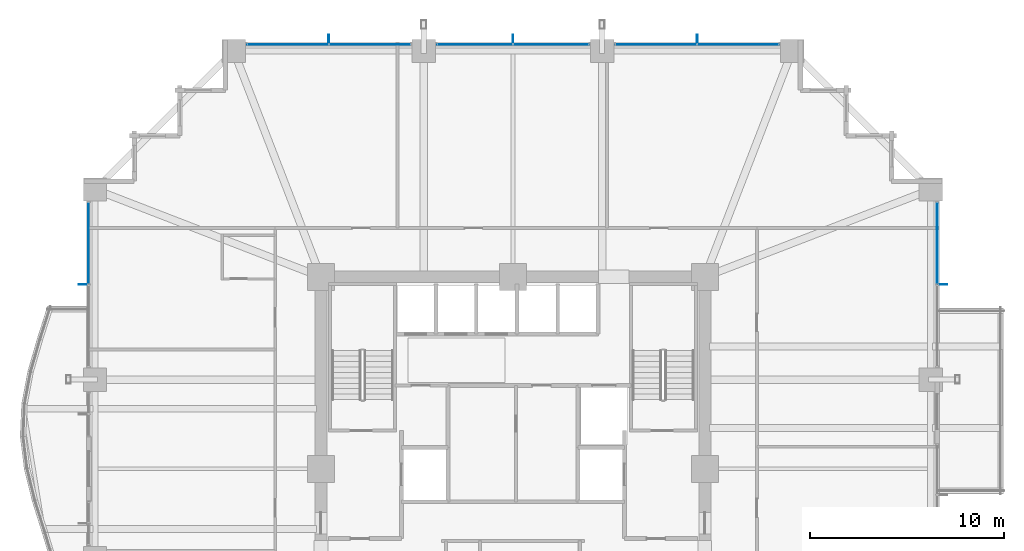
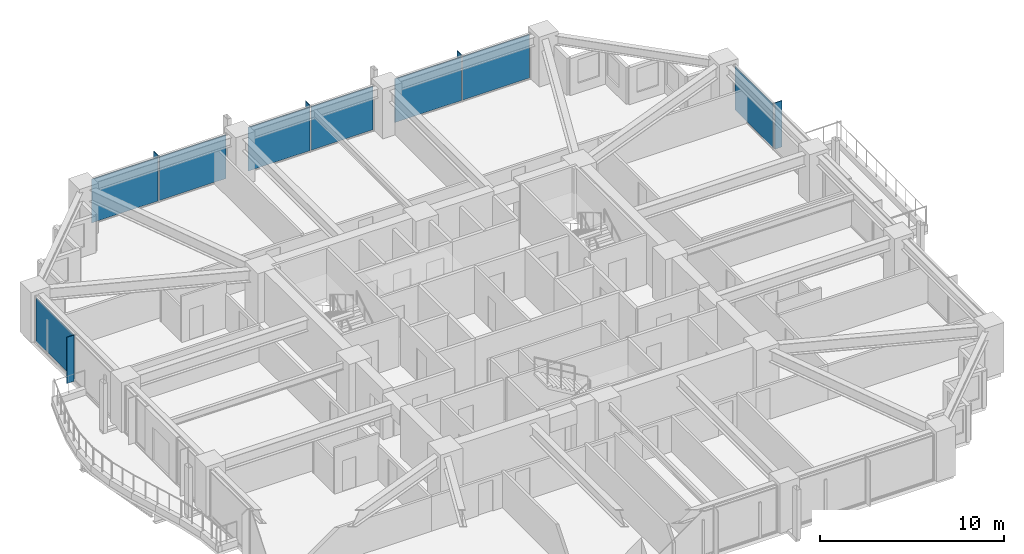
# One storey, part 31 of 38: 13 plates, 5 elements without a shape of their own.
"""IFC4 building model written with IfcOpenShell, lengths in metres."""

import ifcopenshell
import ifcopenshell.guid

model = None  # the IFC model being written
_history = None  # IfcOwnerHistory: only IFC2X3 demands one
_inside = {}  # id of a spatial element -> (the spatial element, [elements in it])
_under = {}  # id of a project, library or spatial element -> (it, [spatial elements below it])
_declared = {}  # id of a project -> (the project, [libraries it declares])
_typed = {}  # id of a type object -> (the type object, [elements of that type])
_made_of = {}  # id of a material, layer set ... -> (it, [elements and type objects made of it])


def new_model(schema):
    """Start an empty IFC model of exactly this schema.

    Asked for "IFC4X3", IfcOpenShell would pick the latest addendum, in which some entities
    have other attributes; the version numbers below select the first issue.
    IFC2X3 requires an IfcOwnerHistory on every rooted entity: one is made here for all.
    """
    global model, _history
    if schema == "IFC4X3":
        model = ifcopenshell.file(schema_version=(4, 3, 0, 0))
    else:
        model = ifcopenshell.file(schema=schema)
    _inside.clear()
    _under.clear()
    _declared.clear()
    _typed.clear()
    _made_of.clear()
    _history = None
    if model.schema == "IFC2X3":
        org = make("IfcOrganization", Name="unknown")
        user = make(
            "IfcPersonAndOrganization",
            ThePerson=make("IfcPerson", FamilyName="unknown"),
            TheOrganization=org,
        )
        app = make(
            "IfcApplication",
            ApplicationDeveloper=org,
            Version="unknown",
            ApplicationFullName="unknown",
            ApplicationIdentifier="unknown",
        )
        _history = make(
            "IfcOwnerHistory",
            OwningUser=user,
            OwningApplication=app,
            ChangeAction="ADDED",
            CreationDate=0,
        )
    return model


def make(cls, **values):
    """One entity of the class cls with the attributes given. An attribute that is None is left unset."""
    return model.create_entity(
        cls, **{name: value for name, value in values.items() if value is not None}
    )


def rooted(cls, **values):
    """An entity with a GlobalId (a new one), such as an element, a storey or a relation."""
    return make(cls, GlobalId=ifcopenshell.guid.new(), OwnerHistory=_history, **values)


def si_unit(unit_type, name, prefix=None):
    """IfcSIUnit, for example si_unit("LENGTHUNIT", "METRE", prefix="MILLI")."""
    return make("IfcSIUnit", UnitType=unit_type, Prefix=prefix, Name=name)


def assignment(units):
    """IfcUnitAssignment: the units of a project."""
    return None if units is None else make("IfcUnitAssignment", Units=units)


def point(xyz):
    """IfcCartesianPoint."""
    return None if xyz is None else make("IfcCartesianPoint", Coordinates=xyz)


def direction(xyz):
    """IfcDirection."""
    return None if xyz is None else make("IfcDirection", DirectionRatios=xyz)


def frame(location, z_axis=None, x_axis=None):
    """IfcAxis2Placement3D, a coordinate frame: its origin and axes. An axis left out is left unset."""
    return make(
        "IfcAxis2Placement3D",
        Location=point(location),
        Axis=direction(z_axis),
        RefDirection=direction(x_axis),
    )


def frame_2d(location, x_axis=None):
    """IfcAxis2Placement2D, a coordinate frame in the plane: its origin and x axis."""
    return make(
        "IfcAxis2Placement2D", Location=point(location), RefDirection=direction(x_axis)
    )


def origin():
    """The frame at (0, 0, 0) with its axes left unset."""
    return frame((0.0, 0.0, 0.0))


def origin_2d():
    """The frame at (0, 0) in the plane with its x axis left unset."""
    return frame_2d((0.0, 0.0))


def place(relative_to, where):
    """IfcLocalPlacement: puts the frame where relative to a parent placement (None: the world)."""
    return make(
        "IfcLocalPlacement", PlacementRelTo=relative_to, RelativePlacement=where
    )


def context(
    kind, dimensions, precision=None, world=None, true_north=None, identifier=None
):
    """IfcGeometricRepresentationContext, for example the 3D "Model" context."""
    return make(
        "IfcGeometricRepresentationContext",
        ContextIdentifier=identifier,
        ContextType=kind,
        CoordinateSpaceDimension=dimensions,
        Precision=precision,
        WorldCoordinateSystem=world,
        TrueNorth=true_north,
    )


def subcontext(parent, identifier, kind, view, scale=None):
    """IfcGeometricRepresentationSubContext, for example "Body" below "Model"."""
    return make(
        "IfcGeometricRepresentationSubContext",
        ContextIdentifier=identifier,
        ContextType=kind,
        ParentContext=parent,
        TargetScale=scale,
        TargetView=view,
    )


def project(units=None, contexts=None):
    """IfcProject with its units and contexts."""
    return rooted(
        "IfcProject",
        Name="project",
        RepresentationContexts=contexts,
        UnitsInContext=assignment(units),
    )


def spatial(cls, under=None, at=None, **own):
    """A site, building, storey or space (cls), placed at a placement, below another one or the project."""
    s = rooted(cls, ObjectPlacement=at, **own)
    if under is not None:
        _under.setdefault(under.id(), (under, []))[1].append(s)
    return s


def profile(cls, at=None, kind="AREA", **sizes):
    """A parametric profile (cls). Its sizes go by their IFC names, for example OverallWidth=200.0."""
    return make(cls, ProfileType=kind, Position=at, **sizes)


def rectangle(**sizes):
    """IfcRectangleProfileDef."""
    return profile("IfcRectangleProfileDef", **sizes)


def extrude(swept, where, along, depth):
    """IfcExtrudedAreaSolid: the profile swept, set in the frame where, extruded along a direction by depth."""
    return make(
        "IfcExtrudedAreaSolid",
        SweptArea=swept,
        Position=where,
        ExtrudedDirection=direction(along),
        Depth=depth,
    )


def shape(context_of_items, identifier, shape_type, items):
    """IfcShapeRepresentation: the items that make up one representation, for example the "Body"."""
    return make(
        "IfcShapeRepresentation",
        ContextOfItems=context_of_items,
        RepresentationIdentifier=identifier,
        RepresentationType=shape_type,
        Items=items,
    )


def material(Name=None, Category=None):
    """IfcMaterial."""
    return make("IfcMaterial", Name=Name, Category=Category)


def layer(
    of_material, thickness, ventilated=None, Name=None, Category=None, Priority=None
):
    """IfcMaterialLayer: one layer of a wall or slab, of a material (None: an air gap)."""
    return make(
        "IfcMaterialLayer",
        Material=of_material,
        LayerThickness=thickness,
        IsVentilated=ventilated,
        Name=Name,
        Category=Category,
        Priority=Priority,
    )


def layer_set(layers, Name=None):
    """IfcMaterialLayerSet."""
    return make("IfcMaterialLayerSet", MaterialLayers=layers, LayerSetName=Name)


def made_of(thing, what):
    """Note that an element or type object is made of a material, layer set ...; save() writes the relation."""
    if what is not None:
        _made_of.setdefault(what.id(), (what, []))[1].append(thing)
    return thing


def type_object(cls, material=None, **own):
    """A type object (cls), such as IfcWallType, which elements share."""
    return made_of(rooted(cls, **own), material)


def element(
    cls,
    number,
    at=None,
    inside=None,
    cuts=None,
    type_object=None,
    material=None,
    context=None,
    identifier="Body",
    shape_type=None,
    held_by="IfcProductDefinitionShape",
    body=None,
    shapes=None,
    **own,
):
    """One element of the class cls, such as IfcWall. Its Tag is "e" and its number.

    at: its placement. inside: the storey or other place that contains it. cuts: it is an
    opening in that element (IfcRelVoidsElement). A single representation is given by context,
    identifier, shape_type and body (its items); several are given by shapes. held_by: the class
    of the entity that holds the representations. save() writes the other relations.
    """
    e = rooted(cls, Tag="e%d" % number, ObjectPlacement=at, **own)
    if body is not None:
        shapes = [shape(context, identifier, shape_type, body)]
    if shapes is not None:
        e.Representation = make(held_by, Representations=shapes)
    if inside is not None:
        _inside.setdefault(inside.id(), (inside, []))[1].append(e)
    if cuts is not None:
        rooted(
            "IfcRelVoidsElement", RelatingBuildingElement=cuts, RelatedOpeningElement=e
        )
    if type_object is not None:
        _typed.setdefault(type_object.id(), (type_object, []))[1].append(e)
    return made_of(e, material)


def aggregate(whole, parts):
    """IfcRelAggregates: a whole, such as a stair, and the parts it consists of."""
    return rooted("IfcRelAggregates", RelatingObject=whole, RelatedObjects=parts)


def save(model, path):
    """Write the relations noted so far, then the file.

    IfcRelAggregates (storeys below a building ...), IfcRelContainedInSpatialStructure (elements
    in a storey), IfcRelDefinesByType, IfcRelAssociatesMaterial and IfcRelDeclares: one each for
    every whole, place, type object, material and project.
    """
    for whole, parts in _under.values():
        aggregate(whole, parts)
    for where, things in _inside.values():
        rooted(
            "IfcRelContainedInSpatialStructure",
            RelatedElements=things,
            RelatingStructure=where,
        )
    for kind, things in _typed.values():
        rooted("IfcRelDefinesByType", RelatedObjects=things, RelatingType=kind)
    for what, things in _made_of.values():
        rooted("IfcRelAssociatesMaterial", RelatedObjects=things, RelatingMaterial=what)
    for by, libraries in _declared.values():
        rooted("IfcRelDeclares", RelatingContext=by, RelatedDefinitions=libraries)
    model.write(path)


model = new_model("IFC4")

# Units and contexts
model_context = context("Model", 3, precision=1e-05, world=origin(), true_north=direction((0.0, 1.0)))
body_context = subcontext(model_context, "Body", "Model", "MODEL_VIEW")
ifc_project = project(units=[si_unit("LENGTHUNIT", "METRE"), si_unit("AREAUNIT", "SQUARE_METRE"), si_unit("VOLUMEUNIT", "CUBIC_METRE"), si_unit("PLANEANGLEUNIT", "RADIAN"), si_unit("MASSUNIT", "GRAM", prefix="KILO")], contexts=[model_context])

# Site, building, storey
site_placement = place(None, origin())
site = spatial("IfcSite", under=ifc_project, at=site_placement, CompositionType="ELEMENT")
building_placement = place(site_placement, origin())
building = spatial("IfcBuilding", under=site, at=building_placement, Name="Kolvaren Belvedere", CompositionType="ELEMENT")
storey_placement = place(building_placement, frame((0.0, 0.0, 53.5)))
storey = spatial("IfcBuildingStorey", under=building, at=storey_placement, Name="L15", CompositionType="ELEMENT", Elevation=53.5)

# Curtain wall, plate
ifc_material_1 = material(Name="Anodised pale-metal aluminium AA 6063-T6", Category="aluminium")
curtain_wall_type = type_object("IfcCurtainWallType", Name="CW-Z1-LOW", PredefinedType="NOTDEFINED", material=ifc_material_1)
curtain_wall_1_placement = place(storey_placement, origin())
curtain_wall_1 = element("IfcCurtainWall", 1, at=curtain_wall_1_placement, inside=storey, type_object=curtain_wall_type, Name="L15 Unitised Curtain Wall FCW-L15-E1", PredefinedType="NOTDEFINED")
ifc_material_2 = material(Name="Low-iron triple insulated glass", Category="glass")
ifc_layer_1 = layer(ifc_material_2, 0.028076171875)
ifc_layer_set_1 = layer_set([ifc_layer_1], Name="Low-iron triple insulated glass")
plate_type_1 = type_object("IfcPlateType", Name="CW-PNL-VIS28", PredefinedType="CURTAIN_PANEL", material=ifc_layer_set_1)
plate_1_placement = place(storey_placement, frame((21.8798828125, 11.62255859375, 0.080078125), z_axis=(0.0, 0.0, 1.0), x_axis=(0.0, -1.0, 0.0)))
plate_1 = element("IfcPlate", 2, at=plate_1_placement, type_object=plate_type_1, Name="FCW-L15-E1 Vision Glazing Panel 1", PredefinedType="CURTAIN_PANEL", context=body_context, shape_type="SweptSolid", body=[
    extrude(rectangle(XDim=4.1650390625, YDim=0.028076171875, at=origin_2d()), origin(), (0.0, 0.0, 1.0), 2.89990234375),
])
aggregate(curtain_wall_1, [plate_1])

# Curtain wall, plates
curtain_wall_2_placement = place(storey_placement, origin())
curtain_wall_2 = element("IfcCurtainWall", 3, at=curtain_wall_2_placement, inside=storey, type_object=curtain_wall_type, Name="L15 Unitised Curtain Wall FCW-L15-N-B1", PredefinedType="NOTDEFINED")
plate_2_placement = place(storey_placement, frame((-11.62255859375, 21.8798828125, 0.080078125), z_axis=(0.0, 0.0, 1.0), x_axis=(1.0, 0.0, 0.0)))
plate_2 = element("IfcPlate", 4, at=plate_2_placement, type_object=plate_type_1, Name="FCW-L15-N-B1 Vision Glazing Panel 1", PredefinedType="CURTAIN_PANEL", context=body_context, shape_type="SweptSolid", body=[
    extrude(rectangle(XDim=4.1650390625, YDim=0.028076171875, at=origin_2d()), origin(), (0.0, 0.0, 1.0), 2.89990234375),
])
plate_3_placement = place(storey_placement, frame((-7.37744140625, 21.8798828125, 0.080078125), z_axis=(0.0, 0.0, 1.0), x_axis=(1.0, 0.0, 0.0)))
plate_3 = element("IfcPlate", 5, at=plate_3_placement, type_object=plate_type_1, Name="FCW-L15-N-B1 Vision Glazing Panel 2", PredefinedType="CURTAIN_PANEL", context=body_context, shape_type="SweptSolid", body=[
    extrude(rectangle(XDim=4.1650390625, YDim=0.028076171875, at=origin_2d()), origin(), (0.0, 0.0, 1.0), 2.89990234375),
])
aggregate(curtain_wall_2, [plate_2, plate_3])

curtain_wall_3_placement = place(storey_placement, origin())
curtain_wall_3 = element("IfcCurtainWall", 6, at=curtain_wall_3_placement, inside=storey, type_object=curtain_wall_type, Name="L15 Unitised Curtain Wall FCW-L15-N-B2", PredefinedType="NOTDEFINED")
plate_4_placement = place(storey_placement, frame((-1.972412109375, 21.8798828125, 0.080078125), z_axis=(0.0, 0.0, 1.0), x_axis=(1.0, 0.0, 0.0)))
plate_4 = element("IfcPlate", 7, at=plate_4_placement, type_object=plate_type_1, Name="FCW-L15-N-B2 Vision Glazing Panel 1", PredefinedType="CURTAIN_PANEL", context=body_context, shape_type="SweptSolid", body=[
    extrude(rectangle(XDim=3.864990234375, YDim=0.028076171875, at=origin_2d()), origin(), (0.0, 0.0, 1.0), 2.89990234375),
])
plate_5_placement = place(storey_placement, frame((1.972412109375, 21.8798828125, 0.080078125), z_axis=(0.0, 0.0, 1.0), x_axis=(1.0, 0.0, 0.0)))
plate_5 = element("IfcPlate", 8, at=plate_5_placement, type_object=plate_type_1, Name="FCW-L15-N-B2 Vision Glazing Panel 2", PredefinedType="CURTAIN_PANEL", context=body_context, shape_type="SweptSolid", body=[
    extrude(rectangle(XDim=3.864990234375, YDim=0.028076171875, at=origin_2d()), origin(), (0.0, 0.0, 1.0), 2.89990234375),
])
aggregate(curtain_wall_3, [plate_4, plate_5])

curtain_wall_4_placement = place(storey_placement, origin())
curtain_wall_4 = element("IfcCurtainWall", 9, at=curtain_wall_4_placement, inside=storey, type_object=curtain_wall_type, Name="L15 Unitised Curtain Wall FCW-L15-N-B3", PredefinedType="NOTDEFINED")
plate_6_placement = place(storey_placement, frame((7.37744140625, 21.8798828125, 0.080078125), z_axis=(0.0, 0.0, 1.0), x_axis=(1.0, 0.0, 0.0)))
plate_6 = element("IfcPlate", 10, at=plate_6_placement, type_object=plate_type_1, Name="FCW-L15-N-B3 Vision Glazing Panel 1", PredefinedType="CURTAIN_PANEL", context=body_context, shape_type="SweptSolid", body=[
    extrude(rectangle(XDim=4.1650390625, YDim=0.028076171875, at=origin_2d()), origin(), (0.0, 0.0, 1.0), 2.89990234375),
])
plate_7_placement = place(storey_placement, frame((11.62255859375, 21.8798828125, 0.080078125), z_axis=(0.0, 0.0, 1.0), x_axis=(1.0, 0.0, 0.0)))
plate_7 = element("IfcPlate", 11, at=plate_7_placement, type_object=plate_type_1, Name="FCW-L15-N-B3 Vision Glazing Panel 2", PredefinedType="CURTAIN_PANEL", context=body_context, shape_type="SweptSolid", body=[
    extrude(rectangle(XDim=4.1650390625, YDim=0.028076171875, at=origin_2d()), origin(), (0.0, 0.0, 1.0), 2.89990234375),
])
aggregate(curtain_wall_4, [plate_6, plate_7])

# Curtain wall, plate
curtain_wall_5_placement = place(storey_placement, origin())
curtain_wall_5 = element("IfcCurtainWall", 12, at=curtain_wall_5_placement, inside=storey, type_object=curtain_wall_type, Name="L15 Unitised Curtain Wall FCW-L15-W2-B2", PredefinedType="NOTDEFINED")
plate_8_placement = place(storey_placement, frame((-21.8798828125, 11.62255859375, 0.080078125), z_axis=(0.0, 0.0, 1.0), x_axis=(0.0, 1.0, 0.0)))
plate_8 = element("IfcPlate", 13, at=plate_8_placement, type_object=plate_type_1, Name="FCW-L15-W2-B2 Vision Glazing Panel 2", PredefinedType="CURTAIN_PANEL", context=body_context, shape_type="SweptSolid", body=[
    extrude(rectangle(XDim=4.1650390625, YDim=0.028076171875, at=origin_2d()), origin(), (0.0, 0.0, 1.0), 2.89990234375),
])
aggregate(curtain_wall_5, [plate_8])

# Plates
ifc_material_3 = material(Name="Anodised pale-metal aluminium AA 6063-T6", Category="aluminium")
ifc_layer_2 = layer(ifc_material_3, 0.0380859375)
ifc_layer_set_2 = layer_set([ifc_layer_2], Name="Anodised pale-metal aluminium AA 6063-T6")
plate_type_2 = type_object("IfcPlateType", Name="FIN-VERT-450", PredefinedType="USERDEFINED", material=ifc_layer_set_2)
for number, where, z_axis, x_axis, name in (
    (14, (22.1650390625, 9.5, 0.0), (0.0, 0.0, 1.0), (1.0, 0.0, 0.0), "L15 Pale-Metal Vertical Shading Fin FCW-L15-E1-1"),
    (15, (-9.5, 22.1650390625, 0.0), (0.0, 0.0, 1.0), (0.0, 1.0, 0.0), "L15 Pale-Metal Vertical Shading Fin FCW-L15-N-B1-1"),
    (16, (0.0, 22.1650390625, 0.0), (0.0, 0.0, 1.0), (0.0, 1.0, 0.0), "L15 Pale-Metal Vertical Shading Fin FCW-L15-N-B2-1"),
    (17, (9.5, 22.1650390625, 0.0), (0.0, 0.0, 1.0), (0.0, 1.0, 0.0), "L15 Pale-Metal Vertical Shading Fin FCW-L15-N-B3-1"),
    (18, (-22.1650390625, 9.5, 0.0), (0.0, 0.0, 1.0), (1.0, 0.0, 0.0), "L15 Pale-Metal Vertical Shading Fin FCW-L15-W2-B2-1"),
):
    element("IfcPlate", number, at=place(storey_placement, frame(where, z_axis=z_axis, x_axis=x_axis)), inside=storey, type_object=plate_type_2, Name=name, ObjectType="VERTICAL FIN", PredefinedType="USERDEFINED", context=body_context, shape_type="SweptSolid", body=[
        extrude(rectangle(XDim=0.449951171875, YDim=0.0380859375, at=origin_2d()), origin(), (0.0, 0.0, 1.0), 3.06005859375),
    ])

save(model, "model.ifc")
